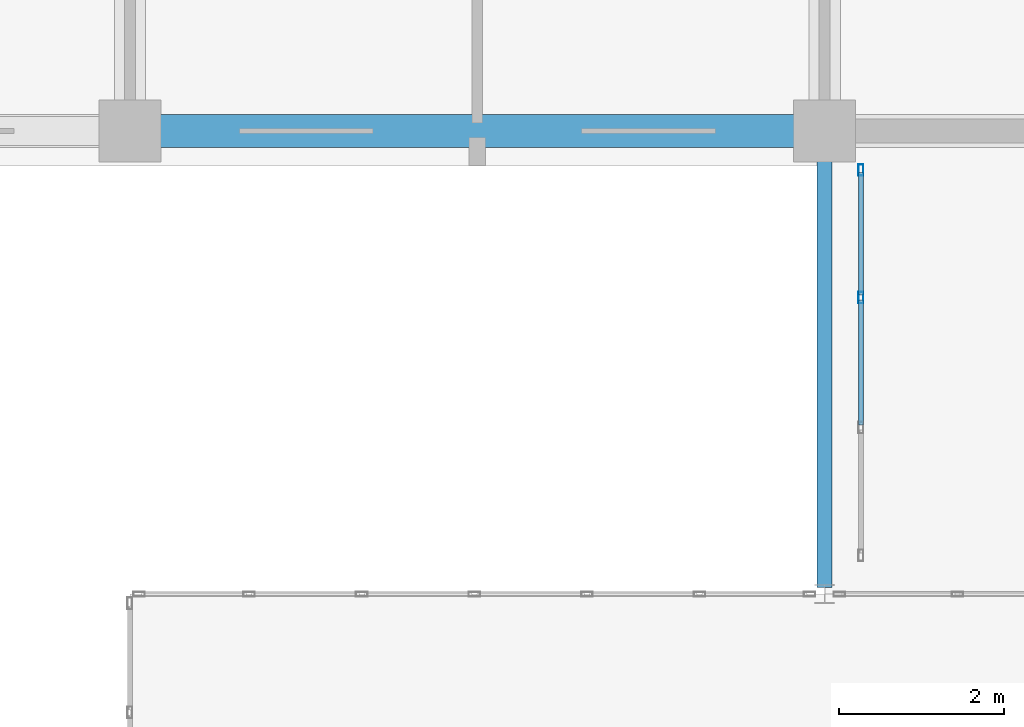
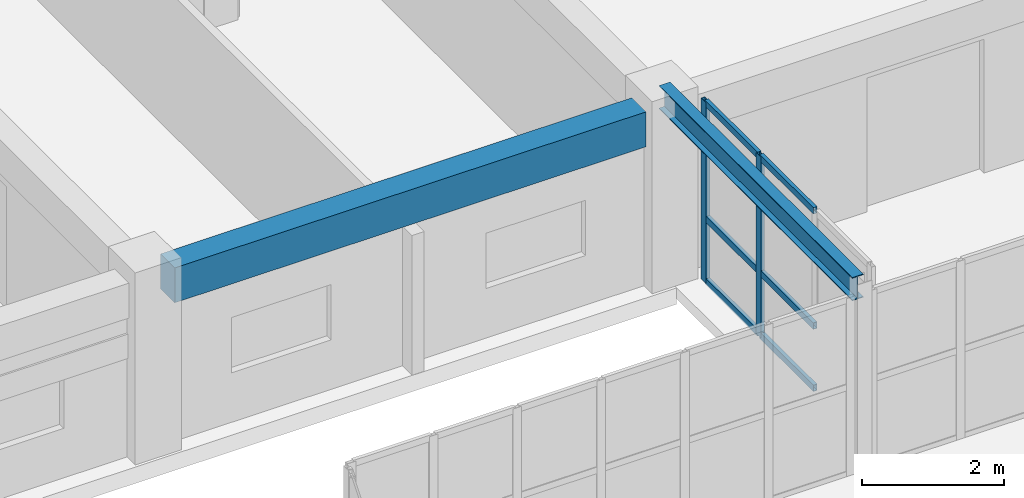
# One storey, part 116 of 200: 8 members, 2 beams, 1 element without a shape of its own.
"""IFC4 building model written with IfcOpenShell, lengths in metres."""

from ifc_helpers import new_model, si_unit, direction, frame, origin, origin_2d, place, context, subcontext, project, spatial, rectangle, hollow_rectangle, i_section, extrude, material, layer, layer_set, material_profile, profile_set, type_object, element, aggregate, save


model = new_model("IFC4")

# Units and contexts
model_context = context("Model", 3, precision=1e-05, world=origin(), true_north=direction((0.0, 1.0)))
body_context = subcontext(model_context, "Body", "Model", "MODEL_VIEW")
ifc_project = project(units=[si_unit("LENGTHUNIT", "METRE"), si_unit("AREAUNIT", "SQUARE_METRE"), si_unit("VOLUMEUNIT", "CUBIC_METRE"), si_unit("PLANEANGLEUNIT", "RADIAN"), si_unit("MASSUNIT", "GRAM", prefix="KILO")], contexts=[model_context])

# Site, building, storey
site_placement = place(None, origin())
site = spatial("IfcSite", under=ifc_project, at=site_placement, CompositionType="ELEMENT")
building_placement = place(site_placement, origin())
building = spatial("IfcBuilding", under=site, at=building_placement, Name="Trelvath General Hospital", CompositionType="ELEMENT")
storey_placement = place(building_placement, frame((0.0, 0.0, 4.800048828125)))
storey = spatial("IfcBuildingStorey", under=building, at=storey_placement, Name="L01", CompositionType="ELEMENT", Elevation=4.800048828125)

# Beams
ifc_material_1 = material(Name="Concrete C35/45", Category="concrete")
ifc_material_profile_1 = material_profile(ifc_material_1, rectangle(XDim=0.39990234375, YDim=0.60009765625, at=origin_2d()), Name="RCB400x600")
ifc_profile_set_1 = profile_set([ifc_material_profile_1], Name="Concrete C35/45")
beam_type_1 = type_object("IfcBeamType", Name="Beam RC400x600", PredefinedType="BEAM", material=ifc_profile_set_1)
beam_1_placement = place(storey_placement, frame((92.77001953125, 92.39990234375, 2.719970703125), z_axis=(1.0, 0.0, 0.0), x_axis=(0.0, 1.0, 0.0)))
element("IfcBeam", 1, at=beam_1_placement, inside=storey, type_object=beam_type_1, Name="Grid Beam BX-111L", PredefinedType="BEAM", context=body_context, shape_type="SweptSolid", body=[
    extrude(rectangle(XDim=0.39990234375, YDim=0.60009765625, at=origin_2d()), origin(), (0.0, 0.0, 1.0), 7.659912109375),
])
ifc_material_2 = material(Name="Steel S355", Category="steel")
ifc_material_profile_2 = material_profile(ifc_material_2, i_section(OverallWidth=0.179931640625, OverallDepth=0.39990234375, WebThickness=0.008544921875, FlangeThickness=0.013427734375, at=origin_2d()), Name="IPE400")
ifc_profile_set_2 = profile_set([ifc_material_profile_2], Name="Steel S355")
beam_type_2 = type_object("IfcBeamType", Name="BridgeGirder IPE400", PredefinedType="BEAM", material=ifc_profile_set_2)
beam_2_placement = place(storey_placement, frame((100.800048828125, 86.8798828125, 3.099853515625), z_axis=(0.0, 1.0, 0.0), x_axis=(-1.0, 0.0, 0.0)))
element("IfcBeam", 2, at=beam_2_placement, inside=storey, type_object=beam_type_2, Name="Bridge Roof Girder BRG-N-E W", PredefinedType="BEAM", context=body_context, shape_type="SweptSolid", body=[
    extrude(i_section(OverallWidth=0.179931640625, OverallDepth=0.39990234375, WebThickness=0.008544921875, FlangeThickness=0.013427734375, at=origin_2d()), origin(), (0.0, 0.0, 1.0), 5.440185546875),
])

# Curtain wall, members
ifc_material_3 = material(Name="Anodised aluminium and low-E glass", Category="aluminium")
ifc_layer = layer(ifc_material_3, 0.139892578125)
ifc_layer_set = layer_set([ifc_layer], Name="Anodised aluminium and low-E glass")
curtain_wall_type = type_object("IfcCurtainWallType", Name="CW Bridge 472 311", PredefinedType="USERDEFINED", material=ifc_layer_set)
curtain_wall_placement = place(storey_placement, origin())
curtain_wall = element("IfcCurtainWall", 3, at=curtain_wall_placement, inside=storey, type_object=curtain_wall_type, Name="Glazed Bridge Curtain Wall BRG-N-E W L01", ObjectType="Unitised Glazed Curtain Wall", PredefinedType="USERDEFINED")
ifc_material_4 = material(Name="Anodised aluminium", Category="aluminium")
ifc_material_profile_3 = material_profile(ifc_material_4, hollow_rectangle(XDim=0.06005859375, YDim=0.139892578125, WallThickness=0.00390625, at=origin_2d()), Name="RHS60x140x4")
ifc_profile_set_3 = profile_set([ifc_material_profile_3], Name="Anodised aluminium")
member_type_1 = type_object("IfcMemberType", Name="CurtainMullion 60x140", PredefinedType="MULLION", material=ifc_profile_set_3)
member_1_placement = place(storey_placement, frame((101.239990234375, 90.38671875, 0.0), z_axis=(0.0, 0.0, 1.0), x_axis=(-1.0, 0.0, 0.0)))
member_1 = element("IfcMember", 4, at=member_1_placement, type_object=member_type_1, Name="CW-186 mullion 3", PredefinedType="MULLION", context=body_context, shape_type="SweptSolid", body=[
    extrude(hollow_rectangle(XDim=0.06005859375, YDim=0.139892578125, WallThickness=0.00390625, at=origin_2d()), origin(), (0.0, 0.0, 1.0), 3.10986328125),
])
member_2_placement = place(storey_placement, frame((101.239990234375, 91.929931640625, 0.0), z_axis=(0.0, 0.0, 1.0), x_axis=(-1.0, 0.0, 0.0)))
member_2 = element("IfcMember", 5, at=member_2_placement, type_object=member_type_1, Name="CW-186 mullion 4", PredefinedType="MULLION", context=body_context, shape_type="SweptSolid", body=[
    extrude(hollow_rectangle(XDim=0.06005859375, YDim=0.139892578125, WallThickness=0.00390625, at=origin_2d()), origin(), (0.0, 0.0, 1.0), 3.10986328125),
])
ifc_material_5 = material(Name="Anodised aluminium", Category="aluminium")
ifc_material_profile_4 = material_profile(ifc_material_5, hollow_rectangle(XDim=0.06005859375, YDim=0.110107421875, WallThickness=0.00390625, at=origin_2d()), Name="RHS60x110x4")
ifc_profile_set_4 = profile_set([ifc_material_profile_4], Name="Anodised aluminium")
member_type_2 = type_object("IfcMemberType", Name="CurtainTransom 60x110", PredefinedType="USERDEFINED", material=ifc_profile_set_4)
member_3_placement = place(storey_placement, frame((101.239990234375, 88.84326171875, 0.030029296875), z_axis=(0.0, 1.0, 0.0), x_axis=(-1.0, 0.0, 0.0)))
member_3 = element("IfcMember", 6, at=member_3_placement, type_object=member_type_2, Name="CW-186 transom 2.1", ObjectType="TRANSOM", PredefinedType="USERDEFINED", context=body_context, shape_type="SweptSolid", body=[
    extrude(hollow_rectangle(XDim=0.06005859375, YDim=0.110107421875, WallThickness=0.00390625, at=origin_2d()), origin(), (0.0, 0.0, 1.0), 1.513427734375),
])
member_4_placement = place(storey_placement, frame((101.239990234375, 88.84326171875, 1.099853515625), z_axis=(0.0, 1.0, 0.0), x_axis=(-1.0, 0.0, 0.0)))
member_4 = element("IfcMember", 7, at=member_4_placement, type_object=member_type_2, Name="CW-186 transom 2.2", ObjectType="TRANSOM", PredefinedType="USERDEFINED", context=body_context, shape_type="SweptSolid", body=[
    extrude(hollow_rectangle(XDim=0.06005859375, YDim=0.110107421875, WallThickness=0.00390625, at=origin_2d()), origin(), (0.0, 0.0, 1.0), 1.513427734375),
])
member_5_placement = place(storey_placement, frame((101.239990234375, 88.84326171875, 3.079833984375), z_axis=(0.0, 1.0, 0.0), x_axis=(-1.0, 0.0, 0.0)))
member_5 = element("IfcMember", 8, at=member_5_placement, type_object=member_type_2, Name="CW-186 transom 2.3", ObjectType="TRANSOM", PredefinedType="USERDEFINED", context=body_context, shape_type="SweptSolid", body=[
    extrude(hollow_rectangle(XDim=0.06005859375, YDim=0.110107421875, WallThickness=0.00390625, at=origin_2d()), origin(), (0.0, 0.0, 1.0), 1.513427734375),
])
member_6_placement = place(storey_placement, frame((101.239990234375, 90.416748046875, 0.030029296875), z_axis=(0.0, 1.0, 0.0), x_axis=(-1.0, 0.0, 0.0)))
member_6 = element("IfcMember", 9, at=member_6_placement, type_object=member_type_2, Name="CW-186 transom 3.1", ObjectType="TRANSOM", PredefinedType="USERDEFINED", context=body_context, shape_type="SweptSolid", body=[
    extrude(hollow_rectangle(XDim=0.06005859375, YDim=0.110107421875, WallThickness=0.00390625, at=origin_2d()), origin(), (0.0, 0.0, 1.0), 1.483154296875),
])
member_7_placement = place(storey_placement, frame((101.239990234375, 90.416748046875, 1.099853515625), z_axis=(0.0, 1.0, 0.0), x_axis=(-1.0, 0.0, 0.0)))
member_7 = element("IfcMember", 10, at=member_7_placement, type_object=member_type_2, Name="CW-186 transom 3.2", ObjectType="TRANSOM", PredefinedType="USERDEFINED", context=body_context, shape_type="SweptSolid", body=[
    extrude(hollow_rectangle(XDim=0.06005859375, YDim=0.110107421875, WallThickness=0.00390625, at=origin_2d()), origin(), (0.0, 0.0, 1.0), 1.483154296875),
])
member_8_placement = place(storey_placement, frame((101.239990234375, 90.416748046875, 3.079833984375), z_axis=(0.0, 1.0, 0.0), x_axis=(-1.0, 0.0, 0.0)))
member_8 = element("IfcMember", 11, at=member_8_placement, type_object=member_type_2, Name="CW-186 transom 3.3", ObjectType="TRANSOM", PredefinedType="USERDEFINED", context=body_context, shape_type="SweptSolid", body=[
    extrude(hollow_rectangle(XDim=0.06005859375, YDim=0.110107421875, WallThickness=0.00390625, at=origin_2d()), origin(), (0.0, 0.0, 1.0), 1.483154296875),
])
aggregate(curtain_wall, [member_1, member_2, member_3, member_4, member_5, member_6, member_7, member_8])

save(model, "model.ifc")
